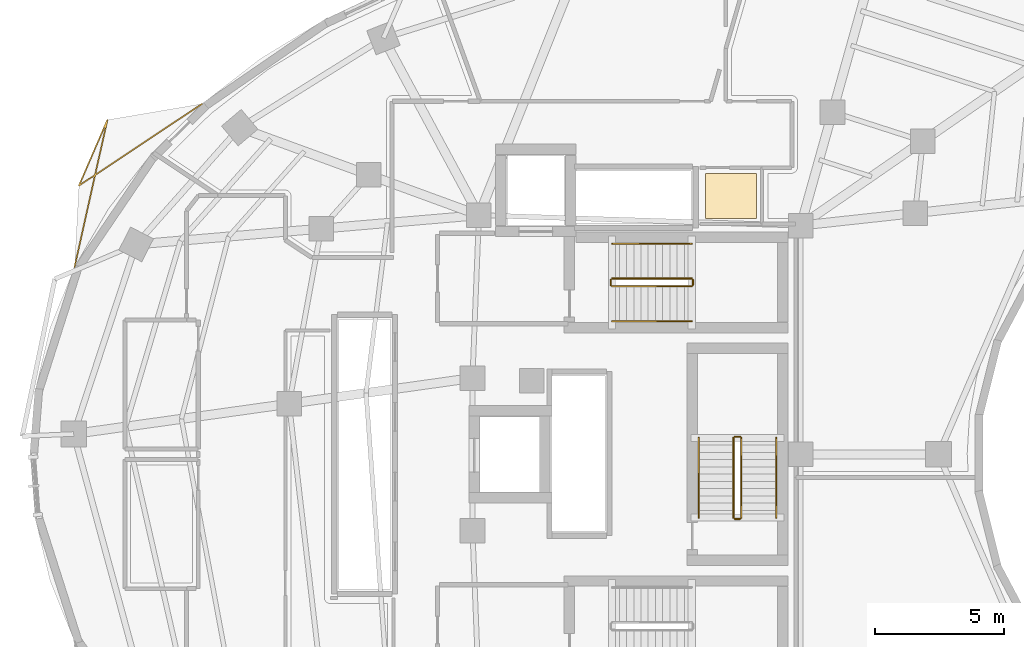
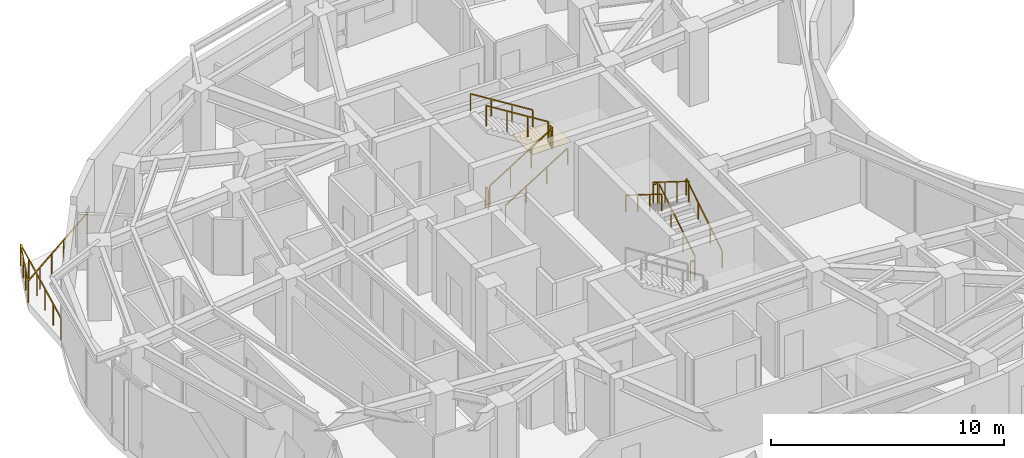
# One storey, part 12 of 13: 13 railings, 1 covering.
"""IFC4 building model written with IfcOpenShell, lengths in metres."""

import ifcopenshell
import ifcopenshell.guid

model = None  # the IFC model being written
_history = None  # IfcOwnerHistory: only IFC2X3 demands one
_inside = {}  # id of a spatial element -> (the spatial element, [elements in it])
_under = {}  # id of a project, library or spatial element -> (it, [spatial elements below it])
_declared = {}  # id of a project -> (the project, [libraries it declares])
_typed = {}  # id of a type object -> (the type object, [elements of that type])
_made_of = {}  # id of a material, layer set ... -> (it, [elements and type objects made of it])


def new_model(schema):
    """Start an empty IFC model of exactly this schema.

    Asked for "IFC4X3", IfcOpenShell would pick the latest addendum, in which some entities
    have other attributes; the version numbers below select the first issue.
    IFC2X3 requires an IfcOwnerHistory on every rooted entity: one is made here for all.
    """
    global model, _history
    if schema == "IFC4X3":
        model = ifcopenshell.file(schema_version=(4, 3, 0, 0))
    else:
        model = ifcopenshell.file(schema=schema)
    _inside.clear()
    _under.clear()
    _declared.clear()
    _typed.clear()
    _made_of.clear()
    _history = None
    if model.schema == "IFC2X3":
        org = make("IfcOrganization", Name="unknown")
        user = make(
            "IfcPersonAndOrganization",
            ThePerson=make("IfcPerson", FamilyName="unknown"),
            TheOrganization=org,
        )
        app = make(
            "IfcApplication",
            ApplicationDeveloper=org,
            Version="unknown",
            ApplicationFullName="unknown",
            ApplicationIdentifier="unknown",
        )
        _history = make(
            "IfcOwnerHistory",
            OwningUser=user,
            OwningApplication=app,
            ChangeAction="ADDED",
            CreationDate=0,
        )
    return model


def make(cls, **values):
    """One entity of the class cls with the attributes given. An attribute that is None is left unset."""
    return model.create_entity(
        cls, **{name: value for name, value in values.items() if value is not None}
    )


def rooted(cls, **values):
    """An entity with a GlobalId (a new one), such as an element, a storey or a relation."""
    return make(cls, GlobalId=ifcopenshell.guid.new(), OwnerHistory=_history, **values)


def si_unit(unit_type, name, prefix=None):
    """IfcSIUnit, for example si_unit("LENGTHUNIT", "METRE", prefix="MILLI")."""
    return make("IfcSIUnit", UnitType=unit_type, Prefix=prefix, Name=name)


def assignment(units):
    """IfcUnitAssignment: the units of a project."""
    return None if units is None else make("IfcUnitAssignment", Units=units)


def point(xyz):
    """IfcCartesianPoint."""
    return None if xyz is None else make("IfcCartesianPoint", Coordinates=xyz)


def direction(xyz):
    """IfcDirection."""
    return None if xyz is None else make("IfcDirection", DirectionRatios=xyz)


def frame(location, z_axis=None, x_axis=None):
    """IfcAxis2Placement3D, a coordinate frame: its origin and axes. An axis left out is left unset."""
    return make(
        "IfcAxis2Placement3D",
        Location=point(location),
        Axis=direction(z_axis),
        RefDirection=direction(x_axis),
    )


def frame_2d(location, x_axis=None):
    """IfcAxis2Placement2D, a coordinate frame in the plane: its origin and x axis."""
    return make(
        "IfcAxis2Placement2D", Location=point(location), RefDirection=direction(x_axis)
    )


def origin():
    """The frame at (0, 0, 0) with its axes left unset."""
    return frame((0.0, 0.0, 0.0))


def origin_2d():
    """The frame at (0, 0) in the plane with its x axis left unset."""
    return frame_2d((0.0, 0.0))


def place(relative_to, where):
    """IfcLocalPlacement: puts the frame where relative to a parent placement (None: the world)."""
    return make(
        "IfcLocalPlacement", PlacementRelTo=relative_to, RelativePlacement=where
    )


def context(
    kind, dimensions, precision=None, world=None, true_north=None, identifier=None
):
    """IfcGeometricRepresentationContext, for example the 3D "Model" context."""
    return make(
        "IfcGeometricRepresentationContext",
        ContextIdentifier=identifier,
        ContextType=kind,
        CoordinateSpaceDimension=dimensions,
        Precision=precision,
        WorldCoordinateSystem=world,
        TrueNorth=true_north,
    )


def subcontext(parent, identifier, kind, view, scale=None):
    """IfcGeometricRepresentationSubContext, for example "Body" below "Model"."""
    return make(
        "IfcGeometricRepresentationSubContext",
        ContextIdentifier=identifier,
        ContextType=kind,
        ParentContext=parent,
        TargetScale=scale,
        TargetView=view,
    )


def project(units=None, contexts=None):
    """IfcProject with its units and contexts."""
    return rooted(
        "IfcProject",
        Name="project",
        RepresentationContexts=contexts,
        UnitsInContext=assignment(units),
    )


def spatial(cls, under=None, at=None, **own):
    """A site, building, storey or space (cls), placed at a placement, below another one or the project."""
    s = rooted(cls, ObjectPlacement=at, **own)
    if under is not None:
        _under.setdefault(under.id(), (under, []))[1].append(s)
    return s


def polyline(points):
    """IfcPolyline through the points."""
    return make("IfcPolyline", Points=[point(p) for p in points])


def profile(cls, at=None, kind="AREA", **sizes):
    """A parametric profile (cls). Its sizes go by their IFC names, for example OverallWidth=200.0."""
    return make(cls, ProfileType=kind, Position=at, **sizes)


def rectangle(**sizes):
    """IfcRectangleProfileDef."""
    return profile("IfcRectangleProfileDef", **sizes)


def outline(outer, holes=None, kind="AREA"):
    """IfcArbitraryClosedProfileDef: a profile drawn as a closed curve; with holes, ...WithVoids."""
    if holes is None:
        return make("IfcArbitraryClosedProfileDef", ProfileType=kind, OuterCurve=outer)
    return make(
        "IfcArbitraryProfileDefWithVoids",
        ProfileType=kind,
        OuterCurve=outer,
        InnerCurves=holes,
    )


def extrude(swept, where, along, depth):
    """IfcExtrudedAreaSolid: the profile swept, set in the frame where, extruded along a direction by depth."""
    return make(
        "IfcExtrudedAreaSolid",
        SweptArea=swept,
        Position=where,
        ExtrudedDirection=direction(along),
        Depth=depth,
    )


def shape(context_of_items, identifier, shape_type, items):
    """IfcShapeRepresentation: the items that make up one representation, for example the "Body"."""
    return make(
        "IfcShapeRepresentation",
        ContextOfItems=context_of_items,
        RepresentationIdentifier=identifier,
        RepresentationType=shape_type,
        Items=items,
    )


def material(Name=None, Category=None):
    """IfcMaterial."""
    return make("IfcMaterial", Name=Name, Category=Category)


def layer(
    of_material, thickness, ventilated=None, Name=None, Category=None, Priority=None
):
    """IfcMaterialLayer: one layer of a wall or slab, of a material (None: an air gap)."""
    return make(
        "IfcMaterialLayer",
        Material=of_material,
        LayerThickness=thickness,
        IsVentilated=ventilated,
        Name=Name,
        Category=Category,
        Priority=Priority,
    )


def layer_set(layers, Name=None):
    """IfcMaterialLayerSet."""
    return make("IfcMaterialLayerSet", MaterialLayers=layers, LayerSetName=Name)


def made_of(thing, what):
    """Note that an element or type object is made of a material, layer set ...; save() writes the relation."""
    if what is not None:
        _made_of.setdefault(what.id(), (what, []))[1].append(thing)
    return thing


def type_object(cls, material=None, **own):
    """A type object (cls), such as IfcWallType, which elements share."""
    return made_of(rooted(cls, **own), material)


def element(
    cls,
    number,
    at=None,
    inside=None,
    cuts=None,
    type_object=None,
    material=None,
    context=None,
    identifier="Body",
    shape_type=None,
    held_by="IfcProductDefinitionShape",
    body=None,
    shapes=None,
    **own,
):
    """One element of the class cls, such as IfcWall. Its Tag is "e" and its number.

    at: its placement. inside: the storey or other place that contains it. cuts: it is an
    opening in that element (IfcRelVoidsElement). A single representation is given by context,
    identifier, shape_type and body (its items); several are given by shapes. held_by: the class
    of the entity that holds the representations. save() writes the other relations.
    """
    e = rooted(cls, Tag="e%d" % number, ObjectPlacement=at, **own)
    if body is not None:
        shapes = [shape(context, identifier, shape_type, body)]
    if shapes is not None:
        e.Representation = make(held_by, Representations=shapes)
    if inside is not None:
        _inside.setdefault(inside.id(), (inside, []))[1].append(e)
    if cuts is not None:
        rooted(
            "IfcRelVoidsElement", RelatingBuildingElement=cuts, RelatedOpeningElement=e
        )
    if type_object is not None:
        _typed.setdefault(type_object.id(), (type_object, []))[1].append(e)
    return made_of(e, material)


def aggregate(whole, parts):
    """IfcRelAggregates: a whole, such as a stair, and the parts it consists of."""
    return rooted("IfcRelAggregates", RelatingObject=whole, RelatedObjects=parts)


def save(model, path):
    """Write the relations noted so far, then the file.

    IfcRelAggregates (storeys below a building ...), IfcRelContainedInSpatialStructure (elements
    in a storey), IfcRelDefinesByType, IfcRelAssociatesMaterial and IfcRelDeclares: one each for
    every whole, place, type object, material and project.
    """
    for whole, parts in _under.values():
        aggregate(whole, parts)
    for where, things in _inside.values():
        rooted(
            "IfcRelContainedInSpatialStructure",
            RelatedElements=things,
            RelatingStructure=where,
        )
    for kind, things in _typed.values():
        rooted("IfcRelDefinesByType", RelatedObjects=things, RelatingType=kind)
    for what, things in _made_of.values():
        rooted("IfcRelAssociatesMaterial", RelatedObjects=things, RelatingMaterial=what)
    for by, libraries in _declared.values():
        rooted("IfcRelDeclares", RelatingContext=by, RelatedDefinitions=libraries)
    model.write(path)


model = new_model("IFC4")

# Units and contexts
model_context = context("Model", 3, precision=1e-05, world=origin(), true_north=direction((0.0, 1.0)))
body_context = subcontext(model_context, "Body", "Model", "MODEL_VIEW")
ifc_project = project(units=[si_unit("LENGTHUNIT", "METRE"), si_unit("AREAUNIT", "SQUARE_METRE"), si_unit("VOLUMEUNIT", "CUBIC_METRE"), si_unit("PLANEANGLEUNIT", "RADIAN"), si_unit("MASSUNIT", "GRAM", prefix="KILO")], contexts=[model_context])

# Site, building, storey
site_placement = place(None, origin())
site = spatial("IfcSite", under=ifc_project, at=site_placement, CompositionType="ELEMENT")
building_placement = place(site_placement, origin())
building = spatial("IfcBuilding", under=site, at=building_placement, Name="Korentha Bioscience Tower", CompositionType="ELEMENT")
storey_placement = place(building_placement, frame((0.0, 0.0, 166.800048828125)))
storey = spatial("IfcBuildingStorey", under=building, at=storey_placement, Name="L38", CompositionType="ELEMENT", Elevation=166.800048828125)

# Covering
ifc_material_1 = material(Name="Vitrified Porcelain Tile", Category="ceramic")
ifc_layer = layer(ifc_material_1, 0.014892578125, Name="Vitrified Porcelain Tile")
ifc_layer_set = layer_set([ifc_layer], Name="Vitrified Porcelain Tile (FL-CER)")
covering_type = type_object("IfcCoveringType", Name="Anti-Slip Ceramic Wet-Room Tile Flooring 15", PredefinedType="FLOORING", material=ifc_layer_set)
covering_placement = place(storey_placement, origin())
element("IfcCovering", 1, at=covering_placement, inside=storey, type_object=covering_type, Name="L38 Accessible Staff WC Floor Finish", PredefinedType="FLOORING", context=body_context, shape_type="SweptSolid", body=[
    extrude(outline(polyline([(33.8701171875, 36.1298828125), (33.8701171875, 37.8701171875), (35.830078125, 37.8701171875), (35.830078125, 36.1298828125), (33.8701171875, 36.1298828125)])), origin(), (0.0, 0.0, 1.0), 0.014892578125),
])

# Railings
ifc_material_2 = material(Name="Stainless Steel 304", Category="steel")
railing_type_1 = type_object("IfcRailingType", Name="Brushed Stainless Stair Handrail 900", PredefinedType="HANDRAIL", material=ifc_material_2)
railing_1_placement = place(storey_placement, frame((30.25, 32.14990234375, 0.175048828125)))
element("IfcRailing", 2, at=railing_1_placement, inside=storey, type_object=railing_type_1, Name="L38 ST-1 stair handrail 1", PredefinedType="HANDRAIL", context=body_context, shape_type="SweptSolid", body=[
    extrude(rectangle(XDim=0.048095703125, YDim=0.048095703125, at=origin_2d()), frame((0.0, 0.0, 0.8759765625), z_axis=(0.848028513186, 0.0, 0.529950602248), x_axis=(0.0, 1.0, 0.0)), (0.0, 0.0, 1.0), 3.632080078125),
    extrude(rectangle(XDim=0.0419921875, YDim=0.0419921875, at=origin_2d()), origin(), (0.0, 0.0, 1.0), 0.851806640625),
    extrude(rectangle(XDim=0.0419921875, YDim=0.0419921875, at=origin_2d()), frame((1.026611328125, 0.0, 0.6416015625)), (0.0, 0.0, 1.0), 0.851806640625),
    extrude(rectangle(XDim=0.0419921875, YDim=0.0419921875, at=origin_2d()), frame((2.053466796875, 0.0, 1.283203125)), (0.0, 0.0, 1.0), 0.851806640625),
    extrude(rectangle(XDim=0.0419921875, YDim=0.0419921875, at=origin_2d()), frame((3.080078125, 0.0, 1.9248046875)), (0.0, 0.0, 1.0), 0.851806640625),
])
railing_2_placement = place(storey_placement, frame((33.330078125, 35.14990234375, 2.27490234375)))
element("IfcRailing", 3, at=railing_2_placement, inside=storey, type_object=railing_type_1, Name="L38 ST-1 stair handrail 2", PredefinedType="HANDRAIL", context=body_context, shape_type="SweptSolid", body=[
    extrude(rectangle(XDim=0.048095703125, YDim=0.048095703125, at=origin_2d()), frame((0.0, 0.0, 0.8759765625), z_axis=(-0.847998304005, 0.0, 0.529998940003), x_axis=(0.0, -1.0, 0.0)), (0.0, 0.0, 1.0), 3.632080078125),
    extrude(rectangle(XDim=0.0419921875, YDim=0.0419921875, at=origin_2d()), origin(), (0.0, 0.0, 1.0), 0.851806640625),
    extrude(rectangle(XDim=0.0419921875, YDim=0.0419921875, at=origin_2d()), frame((-1.026611328125, 0.0, 0.6416015625)), (0.0, 0.0, 1.0), 0.851806640625),
    extrude(rectangle(XDim=0.0419921875, YDim=0.0419921875, at=origin_2d()), frame((-2.053466796875, 0.0, 1.283447265625)), (0.0, 0.0, 1.0), 0.851806640625),
    extrude(rectangle(XDim=0.0419921875, YDim=0.0419921875, at=origin_2d()), frame((-3.080078125, 0.0, 1.925048828125)), (0.0, 0.0, 1.0), 0.851806640625),
])
railing_3_placement = place(storey_placement, frame((36.60009765625, 24.550048828125, 0.175048828125)))
element("IfcRailing", 4, at=railing_3_placement, inside=storey, type_object=railing_type_1, Name="L38 ST-3 stair handrail 1", PredefinedType="HANDRAIL", context=body_context, shape_type="SweptSolid", body=[
    extrude(rectangle(XDim=0.048095703125, YDim=0.048095703125, at=origin_2d()), frame((0.0, 0.0, 0.8759765625), z_axis=(0.0, 0.848009633417, 0.529980812513), x_axis=(-1.0, 0.0, 0.0)), (0.0, 0.0, 1.0), 3.6318359375),
    extrude(rectangle(XDim=0.0419921875, YDim=0.0419921875, at=origin_2d()), origin(), (0.0, 0.0, 1.0), 0.851806640625),
    extrude(rectangle(XDim=0.0419921875, YDim=0.0419921875, at=origin_2d()), frame((0.0, 1.026611328125, 0.6416015625)), (0.0, 0.0, 1.0), 0.851806640625),
    extrude(rectangle(XDim=0.0419921875, YDim=0.0419921875, at=origin_2d()), frame((0.0, 2.05322265625, 1.283203125)), (0.0, 0.0, 1.0), 0.851806640625),
    extrude(rectangle(XDim=0.0419921875, YDim=0.0419921875, at=origin_2d()), frame((0.0, 3.079833984375, 1.9248046875)), (0.0, 0.0, 1.0), 0.851806640625),
])
railing_4_placement = place(storey_placement, frame((33.60009765625, 27.6298828125, 2.27490234375)))
element("IfcRailing", 5, at=railing_4_placement, inside=storey, type_object=railing_type_1, Name="L38 ST-3 stair handrail 2", PredefinedType="HANDRAIL", context=body_context, shape_type="SweptSolid", body=[
    extrude(rectangle(XDim=0.048095703125, YDim=0.048095703125, at=origin_2d()), frame((0.0, 0.0, 0.8759765625), z_axis=(0.0, -0.847979421464, 0.530029150871), x_axis=(1.0, 0.0, 0.0)), (0.0, 0.0, 1.0), 3.632080078125),
    extrude(rectangle(XDim=0.0419921875, YDim=0.0419921875, at=origin_2d()), origin(), (0.0, 0.0, 1.0), 0.851806640625),
    extrude(rectangle(XDim=0.0419921875, YDim=0.0419921875, at=origin_2d()), frame((0.0, -1.026611328125, 0.6416015625)), (0.0, 0.0, 1.0), 0.851806640625),
    extrude(rectangle(XDim=0.0419921875, YDim=0.0419921875, at=origin_2d()), frame((0.0, -2.05322265625, 1.283447265625)), (0.0, 0.0, 1.0), 0.851806640625),
    extrude(rectangle(XDim=0.0419921875, YDim=0.0419921875, at=origin_2d()), frame((0.0, -3.079833984375, 1.925048828125)), (0.0, 0.0, 1.0), 0.851806640625),
])
ifc_material_3 = material(Name="Laminated Tempered Safety Glass", Category="glass")
railing_type_2 = type_object("IfcRailingType", Name="Laminated Glass Balcony Guardrail 1150", PredefinedType="BALUSTRADE", material=ifc_material_3)
railing_5_placement = place(storey_placement, frame((14.390380859375, 40.56005859375, 0.0)))
element("IfcRailing", 6, at=railing_5_placement, inside=storey, type_object=railing_type_2, Name="L38 Balcony Guardrail 02", PredefinedType="BALUSTRADE", context=body_context, shape_type="SweptSolid", body=[
    extrude(rectangle(XDim=0.048095703125, YDim=0.048095703125, at=origin_2d()), frame((0.0, 0.0, 1.1259765625), z_axis=(-0.832777977165, -0.553607117682, 0.0), x_axis=(0.553607117682, -0.832777977165, 0.0)), (0.0, 0.0, 1.0), 5.7236328125),
    extrude(rectangle(XDim=0.048095703125, YDim=0.048095703125, at=origin_2d()), frame((-4.7666015625, -3.168701171875, 1.1259765625), z_axis=(0.397135597344, 0.917759945368, 0.0), x_axis=(-0.917759945368, 0.397135597344, 0.0)), (0.0, 0.0, 1.0), 2.773681640625),
    extrude(rectangle(XDim=0.048095703125, YDim=0.048095703125, at=origin_2d()), frame((-3.6650390625, -0.623046875, 1.1259765625), z_axis=(-0.217896833362, -0.975971808, 0.0), x_axis=(0.975971808, -0.217896833362, 0.0)), (0.0, 0.0, 1.0), 5.830810546875),
    extrude(rectangle(XDim=0.0419921875, YDim=0.0419921875, at=origin_2d()), origin(), (0.0, 0.0, 1.0), 1.101806640625),
    extrude(rectangle(XDim=0.0419921875, YDim=0.0419921875, at=origin_2d()), frame((-0.953369140625, -0.6337890625, 0.0)), (0.0, 0.0, 1.0), 1.101806640625),
    extrude(rectangle(XDim=0.0419921875, YDim=0.0419921875, at=origin_2d()), frame((-1.90673828125, -1.267578125, 0.0)), (0.0, 0.0, 1.0), 1.101806640625),
    extrude(rectangle(XDim=0.0419921875, YDim=0.0419921875, at=origin_2d()), frame((-2.85986328125, -1.901123046875, 0.0)), (0.0, 0.0, 1.0), 1.101806640625),
    extrude(rectangle(XDim=0.0419921875, YDim=0.0419921875, at=origin_2d()), frame((-3.813232421875, -2.534912109375, 0.0)), (0.0, 0.0, 1.0), 1.101806640625),
    extrude(rectangle(XDim=0.0419921875, YDim=0.0419921875, at=origin_2d()), frame((-4.7666015625, -3.168701171875, 0.0)), (0.0, 0.0, 1.0), 1.101806640625),
    extrude(rectangle(XDim=0.0419921875, YDim=0.0419921875, at=origin_2d()), frame((-4.3994140625, -2.320068359375, 0.0)), (0.0, 0.0, 1.0), 1.101806640625),
    extrude(rectangle(XDim=0.0419921875, YDim=0.0419921875, at=origin_2d()), frame((-4.0322265625, -1.4716796875, 0.0)), (0.0, 0.0, 1.0), 1.101806640625),
    extrude(rectangle(XDim=0.0419921875, YDim=0.0419921875, at=origin_2d()), frame((-3.6650390625, -0.623046875, 0.0)), (0.0, 0.0, 1.0), 1.101806640625),
    extrude(rectangle(XDim=0.0419921875, YDim=0.0419921875, at=origin_2d()), frame((-3.919189453125, -1.76123046875, 0.0)), (0.0, 0.0, 1.0), 1.101806640625),
    extrude(rectangle(XDim=0.0419921875, YDim=0.0419921875, at=origin_2d()), frame((-4.17333984375, -2.8994140625, 0.0)), (0.0, 0.0, 1.0), 1.101806640625),
    extrude(rectangle(XDim=0.0419921875, YDim=0.0419921875, at=origin_2d()), frame((-4.42724609375, -4.037353515625, 0.0)), (0.0, 0.0, 1.0), 1.101806640625),
    extrude(rectangle(XDim=0.0419921875, YDim=0.0419921875, at=origin_2d()), frame((-4.681396484375, -5.175537109375, 0.0)), (0.0, 0.0, 1.0), 1.101806640625),
    extrude(rectangle(XDim=0.0419921875, YDim=0.0419921875, at=origin_2d()), frame((-4.935546875, -6.313720703125, 0.0)), (0.0, 0.0, 1.0), 1.101806640625),
])
ifc_material_4 = material(Name="Painted Steel S275", Category="steel")
railing_type_3 = type_object("IfcRailingType", Name="Painted Steel Stair Well Guardrail 1100", PredefinedType="GUARDRAIL", material=ifc_material_4)
railing_6_placement = place(storey_placement, frame((30.25, 33.5, 0.175048828125)))
element("IfcRailing", 7, at=railing_6_placement, inside=storey, type_object=railing_type_3, Name="L38 ST-1 stair guard 1", PredefinedType="GUARDRAIL", context=body_context, shape_type="SweptSolid", body=[
    extrude(rectangle(XDim=0.048095703125, YDim=0.048095703125, at=origin_2d()), frame((0.0, 0.0, 1.076171875), z_axis=(0.848028513186, 0.0, 0.529950602248), x_axis=(0.0, 1.0, 0.0)), (0.0, 0.0, 1.0), 3.632080078125),
    extrude(rectangle(XDim=0.0419921875, YDim=0.0419921875, at=origin_2d()), origin(), (0.0, 0.0, 1.0), 1.052001953125),
    extrude(rectangle(XDim=0.0419921875, YDim=0.0419921875, at=origin_2d()), frame((1.026611328125, 0.0, 0.6416015625)), (0.0, 0.0, 1.0), 1.052001953125),
    extrude(rectangle(XDim=0.0419921875, YDim=0.0419921875, at=origin_2d()), frame((2.053466796875, 0.0, 1.283203125)), (0.0, 0.0, 1.0), 1.052001953125),
    extrude(rectangle(XDim=0.0419921875, YDim=0.0419921875, at=origin_2d()), frame((3.080078125, 0.0, 1.9248046875)), (0.0, 0.0, 1.0), 1.052001953125),
])
railing_7_placement = place(storey_placement, frame((33.3798828125, 33.550048828125, 2.099853515625)))
element("IfcRailing", 8, at=railing_7_placement, inside=storey, type_object=railing_type_3, Name="L38 ST-1 stair guard 2", PredefinedType="GUARDRAIL", context=body_context, shape_type="SweptSolid", body=[
    extrude(rectangle(XDim=0.048095703125, YDim=0.048095703125, at=origin_2d()), frame((0.0, 0.0, 1.076171875), z_axis=(0.0, 1.0, 0.0), x_axis=(-1.0, 0.0, 0.0)), (0.0, 0.0, 1.0), 0.199951171875),
    extrude(rectangle(XDim=0.0419921875, YDim=0.0419921875, at=origin_2d()), origin(), (0.0, 0.0, 1.0), 1.052001953125),
    extrude(rectangle(XDim=0.0419921875, YDim=0.0419921875, at=origin_2d()), frame((0.0, 0.199951171875, 0.0)), (0.0, 0.0, 1.0), 1.052001953125),
])
railing_8_placement = place(storey_placement, frame((33.330078125, 33.800048828125, 2.27490234375)))
element("IfcRailing", 9, at=railing_8_placement, inside=storey, type_object=railing_type_3, Name="L38 ST-1 stair guard 3", PredefinedType="GUARDRAIL", context=body_context, shape_type="SweptSolid", body=[
    extrude(rectangle(XDim=0.048095703125, YDim=0.048095703125, at=origin_2d()), frame((0.0, 0.0, 1.076171875), z_axis=(-0.847998304005, 0.0, 0.529998940003), x_axis=(0.0, -1.0, 0.0)), (0.0, 0.0, 1.0), 3.632080078125),
    extrude(rectangle(XDim=0.0419921875, YDim=0.0419921875, at=origin_2d()), origin(), (0.0, 0.0, 1.0), 1.052001953125),
    extrude(rectangle(XDim=0.0419921875, YDim=0.0419921875, at=origin_2d()), frame((-1.026611328125, 0.0, 0.6416015625)), (0.0, 0.0, 1.0), 1.052001953125),
    extrude(rectangle(XDim=0.0419921875, YDim=0.0419921875, at=origin_2d()), frame((-2.053466796875, 0.0, 1.283447265625)), (0.0, 0.0, 1.0), 1.052001953125),
    extrude(rectangle(XDim=0.0419921875, YDim=0.0419921875, at=origin_2d()), frame((-3.080078125, 0.0, 1.925048828125)), (0.0, 0.0, 1.0), 1.052001953125),
])
railing_9_placement = place(storey_placement, frame((30.199951171875, 33.550048828125, 0.0)))
element("IfcRailing", 10, at=railing_9_placement, inside=storey, type_object=railing_type_3, Name="L38 ST-1 stair guard 4", PredefinedType="GUARDRAIL", context=body_context, shape_type="SweptSolid", body=[
    extrude(rectangle(XDim=0.048095703125, YDim=0.048095703125, at=origin_2d()), frame((0.0, 0.0, 1.076171875), z_axis=(0.0, 1.0, 0.0), x_axis=(-1.0, 0.0, 0.0)), (0.0, 0.0, 1.0), 0.199951171875),
    extrude(rectangle(XDim=0.0419921875, YDim=0.0419921875, at=origin_2d()), origin(), (0.0, 0.0, 1.0), 1.052001953125),
    extrude(rectangle(XDim=0.0419921875, YDim=0.0419921875, at=origin_2d()), frame((0.0, 0.199951171875, 0.0)), (0.0, 0.0, 1.0), 1.052001953125),
])
railing_10_placement = place(storey_placement, frame((35.25, 24.550048828125, 0.175048828125)))
element("IfcRailing", 11, at=railing_10_placement, inside=storey, type_object=railing_type_3, Name="L38 ST-3 stair guard 1", PredefinedType="GUARDRAIL", context=body_context, shape_type="SweptSolid", body=[
    extrude(rectangle(XDim=0.048095703125, YDim=0.048095703125, at=origin_2d()), frame((0.0, 0.0, 1.076171875), z_axis=(0.0, 0.848009633417, 0.529980812513), x_axis=(-1.0, 0.0, 0.0)), (0.0, 0.0, 1.0), 3.6318359375),
    extrude(rectangle(XDim=0.0419921875, YDim=0.0419921875, at=origin_2d()), origin(), (0.0, 0.0, 1.0), 1.052001953125),
    extrude(rectangle(XDim=0.0419921875, YDim=0.0419921875, at=origin_2d()), frame((0.0, 1.026611328125, 0.6416015625)), (0.0, 0.0, 1.0), 1.052001953125),
    extrude(rectangle(XDim=0.0419921875, YDim=0.0419921875, at=origin_2d()), frame((0.0, 2.05322265625, 1.283203125)), (0.0, 0.0, 1.0), 1.052001953125),
    extrude(rectangle(XDim=0.0419921875, YDim=0.0419921875, at=origin_2d()), frame((0.0, 3.079833984375, 1.9248046875)), (0.0, 0.0, 1.0), 1.052001953125),
])
railing_11_placement = place(storey_placement, frame((35.199951171875, 27.679931640625, 2.099853515625)))
element("IfcRailing", 12, at=railing_11_placement, inside=storey, type_object=railing_type_3, Name="L38 ST-3 stair guard 2", PredefinedType="GUARDRAIL", context=body_context, shape_type="SweptSolid", body=[
    extrude(rectangle(XDim=0.048095703125, YDim=0.048095703125, at=origin_2d()), frame((0.0, 0.0, 1.076171875), z_axis=(-1.0, 0.0, 0.0), x_axis=(0.0, -1.0, 0.0)), (0.0, 0.0, 1.0), 0.199951171875),
    extrude(rectangle(XDim=0.0419921875, YDim=0.0419921875, at=origin_2d()), origin(), (0.0, 0.0, 1.0), 1.052001953125),
    extrude(rectangle(XDim=0.0419921875, YDim=0.0419921875, at=origin_2d()), frame((-0.199951171875, 0.0, 0.0)), (0.0, 0.0, 1.0), 1.052001953125),
])
railing_12_placement = place(storey_placement, frame((34.949951171875, 27.6298828125, 2.27490234375)))
element("IfcRailing", 13, at=railing_12_placement, inside=storey, type_object=railing_type_3, Name="L38 ST-3 stair guard 3", PredefinedType="GUARDRAIL", context=body_context, shape_type="SweptSolid", body=[
    extrude(rectangle(XDim=0.048095703125, YDim=0.048095703125, at=origin_2d()), frame((0.0, 0.0, 1.076171875), z_axis=(0.0, -0.847979421464, 0.530029150871), x_axis=(1.0, 0.0, 0.0)), (0.0, 0.0, 1.0), 3.632080078125),
    extrude(rectangle(XDim=0.0419921875, YDim=0.0419921875, at=origin_2d()), origin(), (0.0, 0.0, 1.0), 1.052001953125),
    extrude(rectangle(XDim=0.0419921875, YDim=0.0419921875, at=origin_2d()), frame((0.0, -1.026611328125, 0.6416015625)), (0.0, 0.0, 1.0), 1.052001953125),
    extrude(rectangle(XDim=0.0419921875, YDim=0.0419921875, at=origin_2d()), frame((0.0, -2.05322265625, 1.283447265625)), (0.0, 0.0, 1.0), 1.052001953125),
    extrude(rectangle(XDim=0.0419921875, YDim=0.0419921875, at=origin_2d()), frame((0.0, -3.079833984375, 1.925048828125)), (0.0, 0.0, 1.0), 1.052001953125),
])
railing_13_placement = place(storey_placement, frame((35.199951171875, 24.5, 0.0)))
element("IfcRailing", 14, at=railing_13_placement, inside=storey, type_object=railing_type_3, Name="L38 ST-3 stair guard 4", PredefinedType="GUARDRAIL", context=body_context, shape_type="SweptSolid", body=[
    extrude(rectangle(XDim=0.048095703125, YDim=0.048095703125, at=origin_2d()), frame((0.0, 0.0, 1.076171875), z_axis=(-1.0, 0.0, 0.0), x_axis=(0.0, -1.0, 0.0)), (0.0, 0.0, 1.0), 0.199951171875),
    extrude(rectangle(XDim=0.0419921875, YDim=0.0419921875, at=origin_2d()), origin(), (0.0, 0.0, 1.0), 1.052001953125),
    extrude(rectangle(XDim=0.0419921875, YDim=0.0419921875, at=origin_2d()), frame((-0.199951171875, 0.0, 0.0)), (0.0, 0.0, 1.0), 1.052001953125),
])

save(model, "model.ifc")
